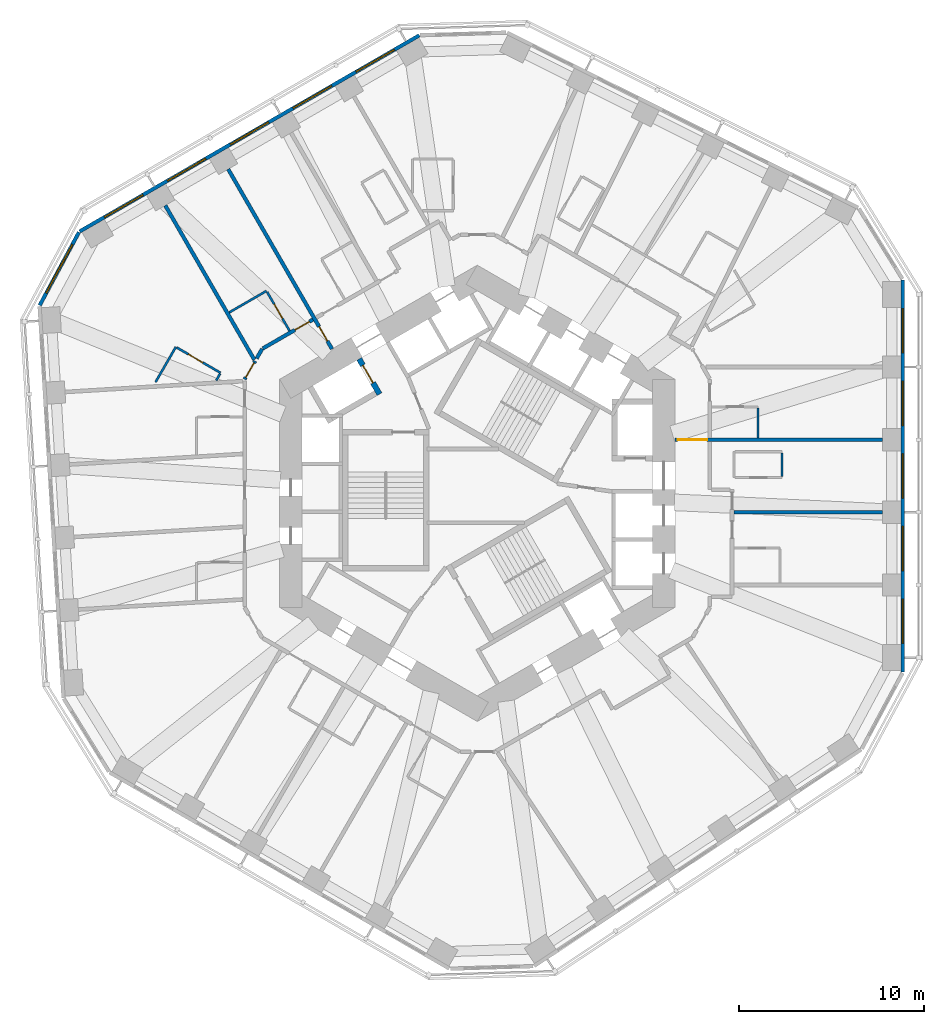
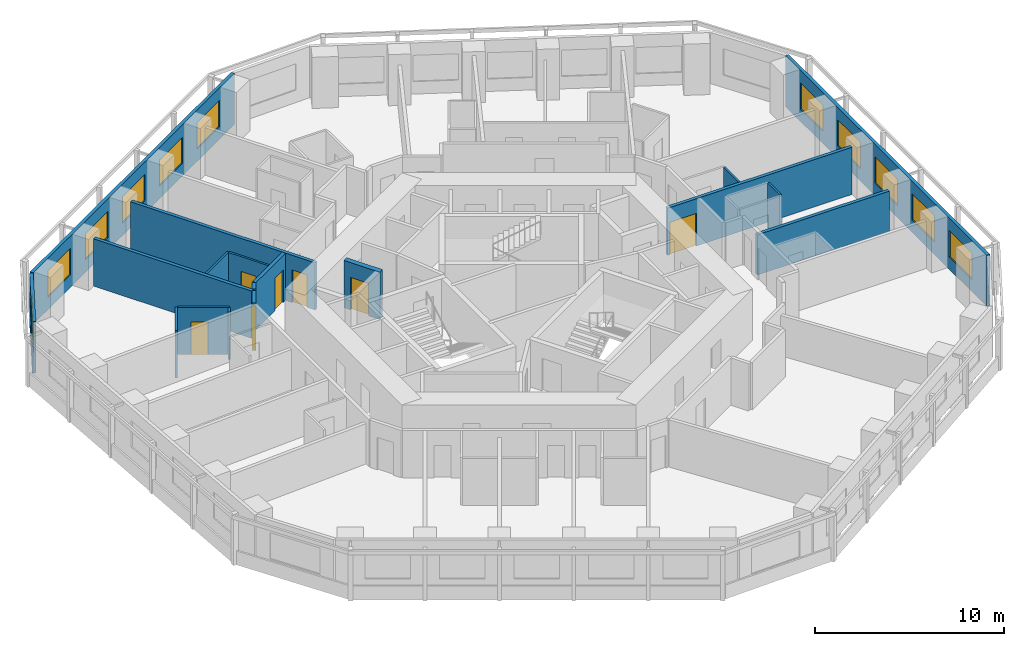
# One storey, part 7 of 12: 18 walls, 11 windows, 7 doors, 18 openings.
"""IFC4 building model written with IfcOpenShell, lengths in metres."""

import ifcopenshell
import ifcopenshell.guid

model = None  # the IFC model being written
_history = None  # IfcOwnerHistory: only IFC2X3 demands one
_inside = {}  # id of a spatial element -> (the spatial element, [elements in it])
_under = {}  # id of a project, library or spatial element -> (it, [spatial elements below it])
_declared = {}  # id of a project -> (the project, [libraries it declares])
_typed = {}  # id of a type object -> (the type object, [elements of that type])
_made_of = {}  # id of a material, layer set ... -> (it, [elements and type objects made of it])


def new_model(schema):
    """Start an empty IFC model of exactly this schema.

    Asked for "IFC4X3", IfcOpenShell would pick the latest addendum, in which some entities
    have other attributes; the version numbers below select the first issue.
    IFC2X3 requires an IfcOwnerHistory on every rooted entity: one is made here for all.
    """
    global model, _history
    if schema == "IFC4X3":
        model = ifcopenshell.file(schema_version=(4, 3, 0, 0))
    else:
        model = ifcopenshell.file(schema=schema)
    _inside.clear()
    _under.clear()
    _declared.clear()
    _typed.clear()
    _made_of.clear()
    _history = None
    if model.schema == "IFC2X3":
        org = make("IfcOrganization", Name="unknown")
        user = make(
            "IfcPersonAndOrganization",
            ThePerson=make("IfcPerson", FamilyName="unknown"),
            TheOrganization=org,
        )
        app = make(
            "IfcApplication",
            ApplicationDeveloper=org,
            Version="unknown",
            ApplicationFullName="unknown",
            ApplicationIdentifier="unknown",
        )
        _history = make(
            "IfcOwnerHistory",
            OwningUser=user,
            OwningApplication=app,
            ChangeAction="ADDED",
            CreationDate=0,
        )
    return model


def make(cls, **values):
    """One entity of the class cls with the attributes given. An attribute that is None is left unset."""
    return model.create_entity(
        cls, **{name: value for name, value in values.items() if value is not None}
    )


def rooted(cls, **values):
    """An entity with a GlobalId (a new one), such as an element, a storey or a relation."""
    return make(cls, GlobalId=ifcopenshell.guid.new(), OwnerHistory=_history, **values)


def si_unit(unit_type, name, prefix=None):
    """IfcSIUnit, for example si_unit("LENGTHUNIT", "METRE", prefix="MILLI")."""
    return make("IfcSIUnit", UnitType=unit_type, Prefix=prefix, Name=name)


def assignment(units):
    """IfcUnitAssignment: the units of a project."""
    return None if units is None else make("IfcUnitAssignment", Units=units)


def point(xyz):
    """IfcCartesianPoint."""
    return None if xyz is None else make("IfcCartesianPoint", Coordinates=xyz)


def direction(xyz):
    """IfcDirection."""
    return None if xyz is None else make("IfcDirection", DirectionRatios=xyz)


def frame(location, z_axis=None, x_axis=None):
    """IfcAxis2Placement3D, a coordinate frame: its origin and axes. An axis left out is left unset."""
    return make(
        "IfcAxis2Placement3D",
        Location=point(location),
        Axis=direction(z_axis),
        RefDirection=direction(x_axis),
    )


def frame_2d(location, x_axis=None):
    """IfcAxis2Placement2D, a coordinate frame in the plane: its origin and x axis."""
    return make(
        "IfcAxis2Placement2D", Location=point(location), RefDirection=direction(x_axis)
    )


def origin():
    """The frame at (0, 0, 0) with its axes left unset."""
    return frame((0.0, 0.0, 0.0))


def place(relative_to, where):
    """IfcLocalPlacement: puts the frame where relative to a parent placement (None: the world)."""
    return make(
        "IfcLocalPlacement", PlacementRelTo=relative_to, RelativePlacement=where
    )


def context(
    kind, dimensions, precision=None, world=None, true_north=None, identifier=None
):
    """IfcGeometricRepresentationContext, for example the 3D "Model" context."""
    return make(
        "IfcGeometricRepresentationContext",
        ContextIdentifier=identifier,
        ContextType=kind,
        CoordinateSpaceDimension=dimensions,
        Precision=precision,
        WorldCoordinateSystem=world,
        TrueNorth=true_north,
    )


def subcontext(parent, identifier, kind, view, scale=None):
    """IfcGeometricRepresentationSubContext, for example "Body" below "Model"."""
    return make(
        "IfcGeometricRepresentationSubContext",
        ContextIdentifier=identifier,
        ContextType=kind,
        ParentContext=parent,
        TargetScale=scale,
        TargetView=view,
    )


def project(units=None, contexts=None):
    """IfcProject with its units and contexts."""
    return rooted(
        "IfcProject",
        Name="project",
        RepresentationContexts=contexts,
        UnitsInContext=assignment(units),
    )


def spatial(cls, under=None, at=None, **own):
    """A site, building, storey or space (cls), placed at a placement, below another one or the project."""
    s = rooted(cls, ObjectPlacement=at, **own)
    if under is not None:
        _under.setdefault(under.id(), (under, []))[1].append(s)
    return s


def profile(cls, at=None, kind="AREA", **sizes):
    """A parametric profile (cls). Its sizes go by their IFC names, for example OverallWidth=200.0."""
    return make(cls, ProfileType=kind, Position=at, **sizes)


def rectangle(**sizes):
    """IfcRectangleProfileDef."""
    return profile("IfcRectangleProfileDef", **sizes)


def extrude(swept, where, along, depth):
    """IfcExtrudedAreaSolid: the profile swept, set in the frame where, extruded along a direction by depth."""
    return make(
        "IfcExtrudedAreaSolid",
        SweptArea=swept,
        Position=where,
        ExtrudedDirection=direction(along),
        Depth=depth,
    )


def shape(context_of_items, identifier, shape_type, items):
    """IfcShapeRepresentation: the items that make up one representation, for example the "Body"."""
    return make(
        "IfcShapeRepresentation",
        ContextOfItems=context_of_items,
        RepresentationIdentifier=identifier,
        RepresentationType=shape_type,
        Items=items,
    )


def material(Name=None, Category=None):
    """IfcMaterial."""
    return make("IfcMaterial", Name=Name, Category=Category)


def layer(
    of_material, thickness, ventilated=None, Name=None, Category=None, Priority=None
):
    """IfcMaterialLayer: one layer of a wall or slab, of a material (None: an air gap)."""
    return make(
        "IfcMaterialLayer",
        Material=of_material,
        LayerThickness=thickness,
        IsVentilated=ventilated,
        Name=Name,
        Category=Category,
        Priority=Priority,
    )


def layer_set(layers, Name=None):
    """IfcMaterialLayerSet."""
    return make("IfcMaterialLayerSet", MaterialLayers=layers, LayerSetName=Name)


def made_of(thing, what):
    """Note that an element or type object is made of a material, layer set ...; save() writes the relation."""
    if what is not None:
        _made_of.setdefault(what.id(), (what, []))[1].append(thing)
    return thing


def type_object(cls, material=None, **own):
    """A type object (cls), such as IfcWallType, which elements share."""
    return made_of(rooted(cls, **own), material)


def element(
    cls,
    number,
    at=None,
    inside=None,
    cuts=None,
    type_object=None,
    material=None,
    context=None,
    identifier="Body",
    shape_type=None,
    held_by="IfcProductDefinitionShape",
    body=None,
    shapes=None,
    **own,
):
    """One element of the class cls, such as IfcWall. Its Tag is "e" and its number.

    at: its placement. inside: the storey or other place that contains it. cuts: it is an
    opening in that element (IfcRelVoidsElement). A single representation is given by context,
    identifier, shape_type and body (its items); several are given by shapes. held_by: the class
    of the entity that holds the representations. save() writes the other relations.
    """
    e = rooted(cls, Tag="e%d" % number, ObjectPlacement=at, **own)
    if body is not None:
        shapes = [shape(context, identifier, shape_type, body)]
    if shapes is not None:
        e.Representation = make(held_by, Representations=shapes)
    if inside is not None:
        _inside.setdefault(inside.id(), (inside, []))[1].append(e)
    if cuts is not None:
        rooted(
            "IfcRelVoidsElement", RelatingBuildingElement=cuts, RelatedOpeningElement=e
        )
    if type_object is not None:
        _typed.setdefault(type_object.id(), (type_object, []))[1].append(e)
    return made_of(e, material)


def fill(opening, filler):
    """IfcRelFillsElement: the door or window that sits in an opening."""
    return rooted(
        "IfcRelFillsElement",
        RelatingOpeningElement=opening,
        RelatedBuildingElement=filler,
    )


def aggregate(whole, parts):
    """IfcRelAggregates: a whole, such as a stair, and the parts it consists of."""
    return rooted("IfcRelAggregates", RelatingObject=whole, RelatedObjects=parts)


def save(model, path):
    """Write the relations noted so far, then the file.

    IfcRelAggregates (storeys below a building ...), IfcRelContainedInSpatialStructure (elements
    in a storey), IfcRelDefinesByType, IfcRelAssociatesMaterial and IfcRelDeclares: one each for
    every whole, place, type object, material and project.
    """
    for whole, parts in _under.values():
        aggregate(whole, parts)
    for where, things in _inside.values():
        rooted(
            "IfcRelContainedInSpatialStructure",
            RelatedElements=things,
            RelatingStructure=where,
        )
    for kind, things in _typed.values():
        rooted("IfcRelDefinesByType", RelatedObjects=things, RelatingType=kind)
    for what, things in _made_of.values():
        rooted("IfcRelAssociatesMaterial", RelatedObjects=things, RelatingMaterial=what)
    for by, libraries in _declared.values():
        rooted("IfcRelDeclares", RelatingContext=by, RelatedDefinitions=libraries)
    model.write(path)


model = new_model("IFC4")

# Units and contexts
model_context = context("Model", 3, precision=1e-05, world=origin(), true_north=direction((0.0, 1.0)))
body_context = subcontext(model_context, "Body", "Model", "MODEL_VIEW")
ifc_project = project(units=[si_unit("LENGTHUNIT", "METRE"), si_unit("AREAUNIT", "SQUARE_METRE"), si_unit("VOLUMEUNIT", "CUBIC_METRE"), si_unit("PLANEANGLEUNIT", "RADIAN"), si_unit("MASSUNIT", "GRAM", prefix="KILO")], contexts=[model_context])

# Site, building, storey
site_placement = place(None, origin())
site = spatial("IfcSite", under=ifc_project, at=site_placement, CompositionType="ELEMENT")
building_placement = place(site_placement, origin())
building = spatial("IfcBuilding", under=site, at=building_placement, Name="Vanh Sen Convention Tower", CompositionType="ELEMENT")
storey_placement = place(building_placement, frame((0.0, 0.0, 86.89990234375)))
storey = spatial("IfcBuildingStorey", under=building, at=storey_placement, Name="L19", CompositionType="ELEMENT", Elevation=86.89990234375)

# Wall
ifc_material_1 = material(Name="Moisture-resistant gypsum board on steel studs", Category="steel")
ifc_layer_1 = layer(ifc_material_1, 0.1201171875)
ifc_layer_set_1 = layer_set([ifc_layer_1], Name="Moisture-resistant gypsum board on steel studs")
wall_type_1 = type_object("IfcWallType", Name="Bathroom partition 120", PredefinedType="PARTITIONING", material=ifc_layer_set_1)
wall_1_placement = place(storey_placement, frame((-17.42578125, 6.019287109375, 0.0), z_axis=(0.0, 0.0, 1.0), x_axis=(0.50002983664, 0.866008176907, 0.0)))
element("IfcWall", 1, at=wall_1_placement, inside=storey, type_object=wall_type_1, Name="Bathroom partition 120", PredefinedType="PARTITIONING", context=body_context, shape_type="SweptSolid", body=[
    extrude(rectangle(XDim=2.199951171875, YDim=0.1201171875, at=frame_2d((1.10009765625, 0.0))), origin(), (0.0, 0.0, 1.0), 3.050048828125),
])

# Wall, opening, door
wall_2_placement = place(storey_placement, frame((-16.273681640625, 7.89453125, 0.0), z_axis=(0.0, 0.0, 1.0), x_axis=(0.865997131366, -0.500048966069, 0.0)))
wall_2 = element("IfcWall", 2, at=wall_2_placement, inside=storey, type_object=wall_type_1, Name="Bathroom partition 120", PredefinedType="PARTITIONING", context=body_context, shape_type="SweptSolid", body=[
    extrude(rectangle(XDim=2.739990234375, YDim=0.1201171875, at=frame_2d((1.3701171875, 0.0))), origin(), (0.0, 0.0, 1.0), 3.050048828125),
])
opening_1_placement = place(wall_2_placement, frame((0.719970703125, 0.0, 0.0)))
opening_1 = element("IfcOpeningElement", 3, at=opening_1_placement, cuts=wall_2, Name="Opening D19124", PredefinedType="OPENING", context=body_context, shape_type="SweptSolid", body=[
    extrude(rectangle(XDim=0.89990234375, YDim=2.10009765625, at=frame_2d((0.449951171875, 1.050048828125))), frame((0.0, 0.070068359375, 0.0), z_axis=(0.0, -1.0, 0.0), x_axis=(1.0, 0.0, 0.0)), (0.0, 0.0, 1.0), 0.14013671875),
])
ifc_material_2 = material(Name="Laminate door in steel frame", Category="steel")
door_type_1 = type_object("IfcDoorType", Name="En-suite door 900", OperationType="SINGLE_SWING_LEFT", PredefinedType="DOOR", material=ifc_material_2)
door_1_placement = place(opening_1_placement, origin())
door_1 = element("IfcDoor", 4, at=door_1_placement, inside=storey, type_object=door_type_1, Name="En-suite door D19124", OperationType="SINGLE_SWING_LEFT", OverallHeight=2.10009765625, OverallWidth=0.89990234375, PredefinedType="DOOR", context=body_context, shape_type="SweptSolid", body=[
    extrude(rectangle(XDim=0.89990234375, YDim=2.10009765625, at=frame_2d((0.449951171875, 1.050048828125))), frame((0.0, 0.02490234375, 0.0), z_axis=(0.0, -1.0, 0.0), x_axis=(1.0, 0.0, 0.0)), (0.0, 0.0, 1.0), 0.050048828125),
])
fill(opening_1, door_1)

# Walls
wall_3_placement = place(storey_placement, frame((-13.930908203125, 6.472412109375, 0.0), z_axis=(0.0, 0.0, 1.0), x_axis=(-0.499739399214, -0.866175809448, 0.0)))
element("IfcWall", 5, at=wall_3_placement, inside=storey, type_object=wall_type_1, Name="Bathroom partition 120", PredefinedType="PARTITIONING", context=body_context, shape_type="SweptSolid", body=[
    extrude(rectangle(XDim=0.415771484375, YDim=0.1201171875, at=frame_2d((0.2080078125, 0.0))), origin(), (0.0, 0.0, 1.0), 3.050048828125),
])
wall_4_placement = place(storey_placement, frame((-13.436279296875, 9.7939453125, 0.0), z_axis=(0.0, 0.0, 1.0), x_axis=(0.866053246676, 0.499951771596, 0.0)))
element("IfcWall", 6, at=wall_4_placement, inside=storey, type_object=wall_type_1, Name="Bathroom partition 120", PredefinedType="PARTITIONING", context=body_context, shape_type="SweptSolid", body=[
    extrude(rectangle(XDim=2.334716796875, YDim=0.1201171875, at=frame_2d((1.16748046875, 0.0))), origin(), (0.0, 0.0, 1.0), 3.050048828125),
])

# Wall, opening, door
wall_5_placement = place(storey_placement, frame((-11.384521484375, 10.9091796875, 0.0), z_axis=(0.0, 0.0, 1.0), x_axis=(0.500077547548, -0.865980627057, 0.0)))
wall_5 = element("IfcWall", 7, at=wall_5_placement, inside=storey, type_object=wall_type_1, Name="Bathroom partition 120", PredefinedType="PARTITIONING", context=body_context, shape_type="SweptSolid", body=[
    extrude(rectangle(XDim=2.43994140625, YDim=0.1201171875, at=frame_2d((1.219970703125, 0.0))), origin(), (0.0, 0.0, 1.0), 3.050048828125),
])
opening_2_placement = place(wall_5_placement, frame((0.77001953125, 0.0, 0.0)))
opening_2 = element("IfcOpeningElement", 8, at=opening_2_placement, cuts=wall_5, Name="Opening D19122", PredefinedType="OPENING", context=body_context, shape_type="SweptSolid", body=[
    extrude(rectangle(XDim=0.89990234375, YDim=2.10009765625, at=frame_2d((0.449951171875, 1.050048828125))), frame((0.0, 0.070068359375, 0.0), z_axis=(0.0, -1.0, 0.0), x_axis=(1.0, 0.0, 0.0)), (0.0, 0.0, 1.0), 0.14013671875),
])
door_2_placement = place(opening_2_placement, origin())
door_2 = element("IfcDoor", 9, at=door_2_placement, inside=storey, type_object=door_type_1, Name="En-suite door D19122", OperationType="SINGLE_SWING_LEFT", OverallHeight=2.10009765625, OverallWidth=0.89990234375, PredefinedType="DOOR", context=body_context, shape_type="SweptSolid", body=[
    extrude(rectangle(XDim=0.89990234375, YDim=2.10009765625, at=frame_2d((0.449951171875, 1.050048828125))), frame((0.0, 0.02490234375, 0.0), z_axis=(0.0, -1.0, 0.0), x_axis=(1.0, 0.0, 0.0)), (0.0, 0.0, 1.0), 0.050048828125),
])
fill(opening_2, door_2)

# Walls
wall_6_placement = place(storey_placement, frame((15.199951171875, 4.61767578125, 0.0), z_axis=(0.0, 0.0, 1.0), x_axis=(0.0, -1.0, 0.0)))
element("IfcWall", 10, at=wall_6_placement, inside=storey, type_object=wall_type_1, Name="Bathroom partition 120", PredefinedType="PARTITIONING", context=body_context, shape_type="SweptSolid", body=[
    extrude(rectangle(XDim=1.61328125, YDim=0.1201171875, at=frame_2d((0.806640625, 0.0))), origin(), (0.0, 0.0, 1.0), 3.050048828125),
])
wall_7_placement = place(storey_placement, frame((16.5, 2.19287109375, 0.0), z_axis=(0.0, 0.0, 1.0), x_axis=(0.0, -1.0, 0.0)))
element("IfcWall", 11, at=wall_7_placement, inside=storey, type_object=wall_type_1, Name="Bathroom partition 120", PredefinedType="PARTITIONING", context=body_context, shape_type="SweptSolid", body=[
    extrude(rectangle(XDim=1.280029296875, YDim=0.1201171875, at=frame_2d((0.64013671875, 0.0))), origin(), (0.0, 0.0, 1.0), 3.050048828125),
])

# Wall, opening, door
ifc_material_3 = material(Name="Gypsum board on steel studs with mineral wool", Category="steel")
ifc_layer_2 = layer(ifc_material_3, 0.199951171875)
ifc_layer_set_2 = layer_set([ifc_layer_2], Name="Gypsum board on steel studs with mineral wool")
wall_type_2 = type_object("IfcWallType", Name="Corridor partition wall 200", PredefinedType="PARTITIONING", material=ifc_layer_set_2)
wall_8_placement = place(storey_placement, frame((-12.031982421875, 7.16162109375, 0.0), z_axis=(0.0, 0.0, 1.0), x_axis=(-0.499951829968, -0.866053212979, 0.0)))
wall_8 = element("IfcWall", 12, at=wall_8_placement, inside=storey, type_object=wall_type_2, Name="Corridor partition wall 200", PredefinedType="PARTITIONING", context=body_context, shape_type="SweptSolid", body=[
    extrude(rectangle(XDim=1.13623046875, YDim=0.199951171875, at=frame_2d((0.568115234375, 0.0))), origin(), (0.0, 0.0, 1.0), 3.050048828125),
])
opening_3_placement = place(wall_8_placement, frame((0.1181640625, 0.0, 0.0)))
opening_3 = element("IfcOpeningElement", 13, at=opening_3_placement, cuts=wall_8, Name="Opening D19123", PredefinedType="OPENING", context=body_context, shape_type="SweptSolid", body=[
    extrude(rectangle(XDim=0.89990234375, YDim=2.10009765625, at=frame_2d((0.449951171875, 1.050048828125))), frame((0.0, 0.10986328125, 0.0), z_axis=(0.0, -1.0, 0.0), x_axis=(1.0, 0.0, 0.0)), (0.0, 0.0, 1.0), 0.219970703125),
])
ifc_material_4 = material(Name="Timber fire door in steel frame", Category="steel")
door_type_2 = type_object("IfcDoorType", Name="Guest room door 900", OperationType="SINGLE_SWING_LEFT", PredefinedType="DOOR", material=ifc_material_4)
door_3_placement = place(opening_3_placement, origin())
door_3 = element("IfcDoor", 14, at=door_3_placement, inside=storey, type_object=door_type_2, Name="Hotel guest room door D19123", OperationType="SINGLE_SWING_LEFT", OverallHeight=2.10009765625, OverallWidth=0.89990234375, PredefinedType="DOOR", context=body_context, shape_type="SweptSolid", body=[
    extrude(rectangle(XDim=0.89990234375, YDim=2.10009765625, at=frame_2d((0.449951171875, 1.050048828125))), frame((0.0, 0.02490234375, 0.0), z_axis=(0.0, -1.0, 0.0), x_axis=(1.0, 0.0, 0.0)), (0.0, 0.0, 1.0), 0.050048828125),
])
fill(opening_3, door_3)

# Wall
wall_9_placement = place(storey_placement, frame((-11.64990234375, 7.822998046875, 0.0), z_axis=(0.0, 0.0, 1.0), x_axis=(-0.50012165622, -0.865955154139, 0.0)))
element("IfcWall", 15, at=wall_9_placement, inside=storey, type_object=wall_type_2, Name="Corridor partition wall 200", PredefinedType="PARTITIONING", context=body_context, shape_type="SweptSolid", body=[
    extrude(rectangle(XDim=0.599853515625, YDim=0.199951171875, at=frame_2d((0.2998046875, 0.0))), origin(), (0.0, 0.0, 1.0), 3.050048828125),
])

# Wall, opening, door
wall_10_placement = place(storey_placement, frame((-8.902099609375, 9.40966796875, 0.0), z_axis=(0.0, 0.0, 1.0), x_axis=(-0.866014299198, -0.500019233215, 0.0)))
wall_10 = element("IfcWall", 16, at=wall_10_placement, inside=storey, type_object=wall_type_2, Name="Corridor partition wall 200", PredefinedType="PARTITIONING", context=body_context, shape_type="SweptSolid", body=[
    extrude(rectangle(XDim=3.13330078125, YDim=0.199951171875, at=frame_2d((1.566650390625, 0.0))), origin(), (0.0, 0.0, 1.0), 3.050048828125),
])
opening_4_placement = place(wall_10_placement, frame((0.22509765625, 0.0, 0.0)))
opening_4 = element("IfcOpeningElement", 17, at=opening_4_placement, cuts=wall_10, Name="Opening D19121", PredefinedType="OPENING", context=body_context, shape_type="SweptSolid", body=[
    extrude(rectangle(XDim=0.89990234375, YDim=2.10009765625, at=frame_2d((0.449951171875, 1.050048828125))), frame((0.0, 0.10986328125, 0.0), z_axis=(0.0, -1.0, 0.0), x_axis=(1.0, 0.0, 0.0)), (0.0, 0.0, 1.0), 0.219970703125),
])
door_4_placement = place(opening_4_placement, origin())
door_4 = element("IfcDoor", 18, at=door_4_placement, inside=storey, type_object=door_type_2, Name="Hotel guest room door D19121", OperationType="SINGLE_SWING_LEFT", OverallHeight=2.10009765625, OverallWidth=0.89990234375, PredefinedType="DOOR", context=body_context, shape_type="SweptSolid", body=[
    extrude(rectangle(XDim=0.89990234375, YDim=2.10009765625, at=frame_2d((0.449951171875, 1.050048828125))), frame((0.0, 0.02490234375, 0.0), z_axis=(0.0, -1.0, 0.0), x_axis=(1.0, 0.0, 0.0)), (0.0, 0.0, 1.0), 0.050048828125),
])
fill(opening_4, door_4)

# Wall, openings, windows
ifc_material_5 = material(Name="Insulated lightweight infill wall")
ifc_layer_3 = layer(ifc_material_5, 0.199951171875)
ifc_layer_set_3 = layer_set([ifc_layer_3], Name="Insulated lightweight infill wall")
wall_type_3 = type_object("IfcWallType", Name="External wall 200", PredefinedType="STANDARD", material=ifc_layer_set_3)
wall_11_placement = place(storey_placement, frame((23.050048828125, -9.6865234375, 0.0), z_axis=(0.0, 0.0, 1.0), x_axis=(0.0, 1.0, 0.0)))
wall_11 = element("IfcWall", 19, at=wall_11_placement, inside=storey, type_object=wall_type_3, Name="External wall E L19", PredefinedType="STANDARD", context=body_context, shape_type="SweptSolid", body=[
    extrude(rectangle(XDim=21.24609375, YDim=0.199951171875, at=frame_2d((10.623046875, 0.0))), origin(), (0.0, 0.0, 1.0), 3.300048828125),
])
opening_5_placement = place(wall_11_placement, frame((1.5546875, 0.0, 0.800048828125)))
opening_5 = element("IfcOpeningElement", 20, at=opening_5_placement, cuts=wall_11, Name="Opening WH1-E1", PredefinedType="OPENING", context=body_context, shape_type="SweptSolid", body=[
    extrude(rectangle(XDim=2.39990234375, YDim=1.699951171875, at=frame_2d((1.199951171875, 0.85009765625))), frame((0.0, 0.10986328125, 0.0), z_axis=(0.0, -1.0, 0.0), x_axis=(1.0, 0.0, 0.0)), (0.0, 0.0, 1.0), 0.219970703125),
])
opening_6_placement = place(wall_11_placement, frame((5.4892578125, 0.0, 0.800048828125)))
opening_6 = element("IfcOpeningElement", 21, at=opening_6_placement, cuts=wall_11, Name="Opening WH1-E2", PredefinedType="OPENING", context=body_context, shape_type="SweptSolid", body=[
    extrude(rectangle(XDim=2.39990234375, YDim=1.699951171875, at=frame_2d((1.199951171875, 0.85009765625))), frame((0.0, 0.10986328125, 0.0), z_axis=(0.0, -1.0, 0.0), x_axis=(1.0, 0.0, 0.0)), (0.0, 0.0, 1.0), 0.219970703125),
])
opening_7_placement = place(wall_11_placement, frame((9.423828125, 0.0, 0.800048828125)))
opening_7 = element("IfcOpeningElement", 22, at=opening_7_placement, cuts=wall_11, Name="Opening WH1-E3", PredefinedType="OPENING", context=body_context, shape_type="SweptSolid", body=[
    extrude(rectangle(XDim=2.39990234375, YDim=1.699951171875, at=frame_2d((1.199951171875, 0.85009765625))), frame((0.0, 0.10986328125, 0.0), z_axis=(0.0, -1.0, 0.0), x_axis=(1.0, 0.0, 0.0)), (0.0, 0.0, 1.0), 0.219970703125),
])
opening_8_placement = place(wall_11_placement, frame((13.3583984375, 0.0, 0.800048828125)))
opening_8 = element("IfcOpeningElement", 23, at=opening_8_placement, cuts=wall_11, Name="Opening WH1-E4", PredefinedType="OPENING", context=body_context, shape_type="SweptSolid", body=[
    extrude(rectangle(XDim=2.39990234375, YDim=1.699951171875, at=frame_2d((1.199951171875, 0.85009765625))), frame((0.0, 0.10986328125, 0.0), z_axis=(0.0, -1.0, 0.0), x_axis=(1.0, 0.0, 0.0)), (0.0, 0.0, 1.0), 0.219970703125),
])
opening_9_placement = place(wall_11_placement, frame((17.29296875, 0.0, 0.800048828125)))
opening_9 = element("IfcOpeningElement", 24, at=opening_9_placement, cuts=wall_11, Name="Opening WH1-E5", PredefinedType="OPENING", context=body_context, shape_type="SweptSolid", body=[
    extrude(rectangle(XDim=2.39990234375, YDim=1.699951171875, at=frame_2d((1.199951171875, 0.85009765625))), frame((0.0, 0.10986328125, 0.0), z_axis=(0.0, -1.0, 0.0), x_axis=(1.0, 0.0, 0.0)), (0.0, 0.0, 1.0), 0.219970703125),
])
ifc_material_6 = material(Name="Aluminium frame with clear low-emissivity glass", Category="aluminium")
window_type_1 = type_object("IfcWindowType", Name="Hotel window 2400 x 1700", PartitioningType="SINGLE_PANEL", PredefinedType="WINDOW", material=ifc_material_6)
window_1_placement = place(opening_5_placement, origin())
window_1 = element("IfcWindow", 25, at=window_1_placement, inside=storey, type_object=window_type_1, Name="Window WH1-E1", OverallHeight=1.699951171875, OverallWidth=2.39990234375, PartitioningType="SINGLE_PANEL", PredefinedType="WINDOW", context=body_context, shape_type="SweptSolid", body=[
    extrude(rectangle(XDim=2.39990234375, YDim=1.699951171875, at=frame_2d((1.199951171875, 0.85009765625))), frame((0.0, 0.030029296875, 0.0), z_axis=(0.0, -1.0, 0.0), x_axis=(1.0, 0.0, 0.0)), (0.0, 0.0, 1.0), 0.06005859375),
])
fill(opening_5, window_1)
window_2_placement = place(opening_6_placement, origin())
window_2 = element("IfcWindow", 26, at=window_2_placement, inside=storey, type_object=window_type_1, Name="Window WH1-E2", OverallHeight=1.699951171875, OverallWidth=2.39990234375, PartitioningType="SINGLE_PANEL", PredefinedType="WINDOW", context=body_context, shape_type="SweptSolid", body=[
    extrude(rectangle(XDim=2.39990234375, YDim=1.699951171875, at=frame_2d((1.199951171875, 0.85009765625))), frame((0.0, 0.030029296875, 0.0), z_axis=(0.0, -1.0, 0.0), x_axis=(1.0, 0.0, 0.0)), (0.0, 0.0, 1.0), 0.06005859375),
])
fill(opening_6, window_2)
window_3_placement = place(opening_7_placement, origin())
window_3 = element("IfcWindow", 27, at=window_3_placement, inside=storey, type_object=window_type_1, Name="Window WH1-E3", OverallHeight=1.699951171875, OverallWidth=2.39990234375, PartitioningType="SINGLE_PANEL", PredefinedType="WINDOW", context=body_context, shape_type="SweptSolid", body=[
    extrude(rectangle(XDim=2.39990234375, YDim=1.699951171875, at=frame_2d((1.199951171875, 0.85009765625))), frame((0.0, 0.030029296875, 0.0), z_axis=(0.0, -1.0, 0.0), x_axis=(1.0, 0.0, 0.0)), (0.0, 0.0, 1.0), 0.06005859375),
])
fill(opening_7, window_3)
window_4_placement = place(opening_8_placement, origin())
window_4 = element("IfcWindow", 28, at=window_4_placement, inside=storey, type_object=window_type_1, Name="Window WH1-E4", OverallHeight=1.699951171875, OverallWidth=2.39990234375, PartitioningType="SINGLE_PANEL", PredefinedType="WINDOW", context=body_context, shape_type="SweptSolid", body=[
    extrude(rectangle(XDim=2.39990234375, YDim=1.699951171875, at=frame_2d((1.199951171875, 0.85009765625))), frame((0.0, 0.030029296875, 0.0), z_axis=(0.0, -1.0, 0.0), x_axis=(1.0, 0.0, 0.0)), (0.0, 0.0, 1.0), 0.06005859375),
])
fill(opening_8, window_4)
window_5_placement = place(opening_9_placement, origin())
window_5 = element("IfcWindow", 29, at=window_5_placement, inside=storey, type_object=window_type_1, Name="Window WH1-E5", OverallHeight=1.699951171875, OverallWidth=2.39990234375, PartitioningType="SINGLE_PANEL", PredefinedType="WINDOW", context=body_context, shape_type="SweptSolid", body=[
    extrude(rectangle(XDim=2.39990234375, YDim=1.699951171875, at=frame_2d((1.199951171875, 0.85009765625))), frame((0.0, 0.030029296875, 0.0), z_axis=(0.0, -1.0, 0.0), x_axis=(1.0, 0.0, 0.0)), (0.0, 0.0, 1.0), 0.06005859375),
])
fill(opening_9, window_5)

wall_12_placement = place(storey_placement, frame((-3.135986328125, 24.80517578125, 0.0), z_axis=(0.0, 0.0, 1.0), x_axis=(-0.866028291626, -0.499994998079, 0.0)))
wall_12 = element("IfcWall", 30, at=wall_12_placement, inside=storey, type_object=wall_type_3, Name="External wall NW L19", PredefinedType="STANDARD", context=body_context, shape_type="SweptSolid", body=[
    extrude(rectangle(XDim=21.246337890625, YDim=0.199951171875, at=frame_2d((10.623046875, 0.0))), origin(), (0.0, 0.0, 1.0), 3.300048828125),
])
opening_10_placement = place(wall_12_placement, frame((1.5546875, 0.0, 0.800048828125)))
opening_10 = element("IfcOpeningElement", 31, at=opening_10_placement, cuts=wall_12, Name="Opening WH1-NW1", PredefinedType="OPENING", context=body_context, shape_type="SweptSolid", body=[
    extrude(rectangle(XDim=2.39990234375, YDim=1.699951171875, at=frame_2d((1.199951171875, 0.85009765625))), frame((0.0, 0.10986328125, 0.0), z_axis=(0.0, -1.0, 0.0), x_axis=(1.0, 0.0, 0.0)), (0.0, 0.0, 1.0), 0.219970703125),
])
opening_11_placement = place(wall_12_placement, frame((5.4892578125, 0.0, 0.800048828125)))
opening_11 = element("IfcOpeningElement", 32, at=opening_11_placement, cuts=wall_12, Name="Opening WH1-NW2", PredefinedType="OPENING", context=body_context, shape_type="SweptSolid", body=[
    extrude(rectangle(XDim=2.39990234375, YDim=1.699951171875, at=frame_2d((1.199951171875, 0.85009765625))), frame((0.0, 0.10986328125, 0.0), z_axis=(0.0, -1.0, 0.0), x_axis=(1.0, 0.0, 0.0)), (0.0, 0.0, 1.0), 0.219970703125),
])
opening_12_placement = place(wall_12_placement, frame((9.423828125, 0.0, 0.800048828125)))
opening_12 = element("IfcOpeningElement", 33, at=opening_12_placement, cuts=wall_12, Name="Opening WH1-NW3", PredefinedType="OPENING", context=body_context, shape_type="SweptSolid", body=[
    extrude(rectangle(XDim=2.39990234375, YDim=1.699951171875, at=frame_2d((1.199951171875, 0.85009765625))), frame((0.0, 0.10986328125, 0.0), z_axis=(0.0, -1.0, 0.0), x_axis=(1.0, 0.0, 0.0)), (0.0, 0.0, 1.0), 0.219970703125),
])
opening_13_placement = place(wall_12_placement, frame((13.3583984375, 0.0, 0.800048828125)))
opening_13 = element("IfcOpeningElement", 34, at=opening_13_placement, cuts=wall_12, Name="Opening WH1-NW4", PredefinedType="OPENING", context=body_context, shape_type="SweptSolid", body=[
    extrude(rectangle(XDim=2.39990234375, YDim=1.699951171875, at=frame_2d((1.199951171875, 0.85009765625))), frame((0.0, 0.10986328125, 0.0), z_axis=(0.0, -1.0, 0.0), x_axis=(1.0, 0.0, 0.0)), (0.0, 0.0, 1.0), 0.219970703125),
])
opening_14_placement = place(wall_12_placement, frame((17.293212890625, 0.0, 0.800048828125)))
opening_14 = element("IfcOpeningElement", 35, at=opening_14_placement, cuts=wall_12, Name="Opening WH1-NW5", PredefinedType="OPENING", context=body_context, shape_type="SweptSolid", body=[
    extrude(rectangle(XDim=2.39990234375, YDim=1.699951171875, at=frame_2d((1.199951171875, 0.85009765625))), frame((0.0, 0.10986328125, 0.0), z_axis=(0.0, -1.0, 0.0), x_axis=(1.0, 0.0, 0.0)), (0.0, 0.0, 1.0), 0.219970703125),
])
window_6_placement = place(opening_10_placement, origin())
window_6 = element("IfcWindow", 36, at=window_6_placement, inside=storey, type_object=window_type_1, Name="Window WH1-NW1", OverallHeight=1.699951171875, OverallWidth=2.39990234375, PartitioningType="SINGLE_PANEL", PredefinedType="WINDOW", context=body_context, shape_type="SweptSolid", body=[
    extrude(rectangle(XDim=2.39990234375, YDim=1.699951171875, at=frame_2d((1.199951171875, 0.85009765625))), frame((0.0, 0.030029296875, 0.0), z_axis=(0.0, -1.0, 0.0), x_axis=(1.0, 0.0, 0.0)), (0.0, 0.0, 1.0), 0.06005859375),
])
fill(opening_10, window_6)
window_7_placement = place(opening_11_placement, origin())
window_7 = element("IfcWindow", 37, at=window_7_placement, inside=storey, type_object=window_type_1, Name="Window WH1-NW2", OverallHeight=1.699951171875, OverallWidth=2.39990234375, PartitioningType="SINGLE_PANEL", PredefinedType="WINDOW", context=body_context, shape_type="SweptSolid", body=[
    extrude(rectangle(XDim=2.39990234375, YDim=1.699951171875, at=frame_2d((1.199951171875, 0.85009765625))), frame((0.0, 0.030029296875, 0.0), z_axis=(0.0, -1.0, 0.0), x_axis=(1.0, 0.0, 0.0)), (0.0, 0.0, 1.0), 0.06005859375),
])
fill(opening_11, window_7)
window_8_placement = place(opening_12_placement, origin())
window_8 = element("IfcWindow", 38, at=window_8_placement, inside=storey, type_object=window_type_1, Name="Window WH1-NW3", OverallHeight=1.699951171875, OverallWidth=2.39990234375, PartitioningType="SINGLE_PANEL", PredefinedType="WINDOW", context=body_context, shape_type="SweptSolid", body=[
    extrude(rectangle(XDim=2.39990234375, YDim=1.699951171875, at=frame_2d((1.199951171875, 0.85009765625))), frame((0.0, 0.030029296875, 0.0), z_axis=(0.0, -1.0, 0.0), x_axis=(1.0, 0.0, 0.0)), (0.0, 0.0, 1.0), 0.06005859375),
])
fill(opening_12, window_8)
window_9_placement = place(opening_13_placement, origin())
window_9 = element("IfcWindow", 39, at=window_9_placement, inside=storey, type_object=window_type_1, Name="Window WH1-NW4", OverallHeight=1.699951171875, OverallWidth=2.39990234375, PartitioningType="SINGLE_PANEL", PredefinedType="WINDOW", context=body_context, shape_type="SweptSolid", body=[
    extrude(rectangle(XDim=2.39990234375, YDim=1.699951171875, at=frame_2d((1.199951171875, 0.85009765625))), frame((0.0, 0.030029296875, 0.0), z_axis=(0.0, -1.0, 0.0), x_axis=(1.0, 0.0, 0.0)), (0.0, 0.0, 1.0), 0.06005859375),
])
fill(opening_13, window_9)
window_10_placement = place(opening_14_placement, origin())
window_10 = element("IfcWindow", 40, at=window_10_placement, inside=storey, type_object=window_type_1, Name="Window WH1-NW5", OverallHeight=1.699951171875, OverallWidth=2.39990234375, PartitioningType="SINGLE_PANEL", PredefinedType="WINDOW", context=body_context, shape_type="SweptSolid", body=[
    extrude(rectangle(XDim=2.39990234375, YDim=1.699951171875, at=frame_2d((1.199951171875, 0.85009765625))), frame((0.0, 0.030029296875, 0.0), z_axis=(0.0, -1.0, 0.0), x_axis=(1.0, 0.0, 0.0)), (0.0, 0.0, 1.0), 0.06005859375),
])
fill(opening_14, window_10)

# Wall, opening, window
wall_13_placement = place(storey_placement, frame((-21.573974609375, 14.142822265625, 0.0), z_axis=(0.0, 0.0, 1.0), x_axis=(-0.473292949472, -0.880905093628, 0.0)))
wall_13 = element("IfcWall", 41, at=wall_13_placement, inside=storey, type_object=wall_type_3, Name="External wall CH3 L19", PredefinedType="STANDARD", context=body_context, shape_type="SweptSolid", body=[
    extrude(rectangle(XDim=4.493896484375, YDim=0.199951171875, at=frame_2d((2.2470703125, 0.0))), origin(), (0.0, 0.0, 1.0), 3.300048828125),
])
opening_15_placement = place(wall_13_placement, frame((0.746826171875, 0.0, 0.800048828125)))
opening_15 = element("IfcOpeningElement", 42, at=opening_15_placement, cuts=wall_13, Name="Opening WH2-CH31", PredefinedType="OPENING", context=body_context, shape_type="SweptSolid", body=[
    extrude(rectangle(XDim=3.0, YDim=1.699951171875, at=frame_2d((1.5, 0.85009765625))), frame((0.0, 0.10986328125, 0.0), z_axis=(0.0, -1.0, 0.0), x_axis=(1.0, 0.0, 0.0)), (0.0, 0.0, 1.0), 0.219970703125),
])
window_type_2 = type_object("IfcWindowType", Name="Hotel window 3000 x 1700", PartitioningType="SINGLE_PANEL", PredefinedType="WINDOW", material=ifc_material_6)
window_11_placement = place(opening_15_placement, origin())
window_11 = element("IfcWindow", 43, at=window_11_placement, inside=storey, type_object=window_type_2, Name="Window WH2-CH31", OverallHeight=1.699951171875, OverallWidth=3.0, PartitioningType="SINGLE_PANEL", PredefinedType="WINDOW", context=body_context, shape_type="SweptSolid", body=[
    extrude(rectangle(XDim=3.0, YDim=1.699951171875, at=frame_2d((1.5, 0.85009765625))), frame((0.0, 0.030029296875, 0.0), z_axis=(0.0, -1.0, 0.0), x_axis=(1.0, 0.0, 0.0)), (0.0, 0.0, 1.0), 0.06005859375),
])
fill(opening_15, window_11)

# Wall, opening, door
ifc_material_7 = material(Name="Concrete C60/75", Category="concrete")
ifc_layer_4 = layer(ifc_material_7, 0.300048828125)
ifc_layer_set_4 = layer_set([ifc_layer_4], Name="Concrete C60/75")
wall_type_4 = type_object("IfcWallType", Name="Fire-fighting lift shaft wall 300", PredefinedType="SHEAR", material=ifc_layer_set_4)
wall_14_placement = place(storey_placement, frame((-5.29541015625, 5.3720703125, 0.0), z_axis=(0.0, 0.0, 1.0), x_axis=(-0.500077893725, 0.86598042715, 0.0)))
wall_14 = element("IfcWall", 44, at=wall_14_placement, inside=storey, type_object=wall_type_4, Name="Fire-fighting lift shaft wall L19", PredefinedType="SHEAR", context=body_context, shape_type="SweptSolid", body=[
    extrude(rectangle(XDim=2.199951171875, YDim=0.300048828125, at=frame_2d((1.10009765625, 0.0))), origin(), (0.0, 0.0, 1.0), 3.050048828125),
])
opening_16_placement = place(wall_14_placement, frame((0.699951171875, 0.0, 0.0)))
opening_16 = element("IfcOpeningElement", 45, at=opening_16_placement, cuts=wall_14, Name="Opening LD-FF2", PredefinedType="OPENING", context=body_context, shape_type="SweptSolid", body=[
    extrude(rectangle(XDim=1.10009765625, YDim=2.10009765625, at=frame_2d((0.550048828125, 1.050048828125))), frame((0.0, 0.159912109375, 0.0), z_axis=(0.0, -1.0, 0.0), x_axis=(1.0, 0.0, 0.0)), (0.0, 0.0, 1.0), 0.320068359375),
])
ifc_material_8 = material(Name="Stainless steel", Category="steel")
door_type_3 = type_object("IfcDoorType", Name="Fire-fighting lift landing door 1100", OperationType="DOUBLE_DOOR_SLIDING", PredefinedType="DOOR", material=ifc_material_8)
door_5_placement = place(opening_16_placement, origin())
door_5 = element("IfcDoor", 46, at=door_5_placement, inside=storey, type_object=door_type_3, Name="Lift FF2 landing door LD-FF2", OperationType="DOUBLE_DOOR_SLIDING", OverallHeight=2.10009765625, OverallWidth=1.10009765625, PredefinedType="DOOR", context=body_context, shape_type="SweptSolid", body=[
    extrude(rectangle(XDim=1.10009765625, YDim=2.10009765625, at=frame_2d((0.550048828125, 1.050048828125))), frame((0.0, 0.02490234375, 0.0), z_axis=(0.0, -1.0, 0.0), x_axis=(1.0, 0.0, 0.0)), (0.0, 0.0, 1.0), 0.050048828125),
])
fill(opening_16, door_5)

# Walls
ifc_layer_5 = layer(ifc_material_3, 0.199951171875)
ifc_layer_set_5 = layer_set([ifc_layer_5], Name="Gypsum board on steel studs with mineral wool")
wall_type_5 = type_object("IfcWallType", Name="Hotel party wall 200", PredefinedType="PARTITIONING", material=ifc_layer_set_5)
wall_15_placement = place(storey_placement, frame((-16.89794921875, 15.589599609375, 0.0), z_axis=(0.0, 0.0, 1.0), x_axis=(0.499994742786, -0.866028439017, 0.0)))
element("IfcWall", 47, at=wall_15_placement, inside=storey, type_object=wall_type_5, Name="Hotel party wall 200", PredefinedType="PARTITIONING", context=body_context, shape_type="SweptSolid", body=[
    extrude(rectangle(XDim=9.64990234375, YDim=0.199951171875, at=frame_2d((4.824951171875, 0.0))), origin(), (0.0, 0.0, 1.0), 3.050048828125),
])
wall_16_placement = place(storey_placement, frame((21.949951171875, -1.030029296875, 0.0), z_axis=(0.0, 0.0, 1.0), x_axis=(-1.0, 0.0, 0.0)))
element("IfcWall", 48, at=wall_16_placement, inside=storey, type_object=wall_type_5, Name="Hotel party wall 200", PredefinedType="PARTITIONING", context=body_context, shape_type="SweptSolid", body=[
    extrude(rectangle(XDim=8.049072265625, YDim=0.199951171875, at=frame_2d((4.0244140625, 0.0))), origin(), (0.0, 0.0, 1.0), 2.60009765625),
])

# Wall, opening, door
ifc_material_9 = material(Name="Concrete C20/25", Category="concrete")
ifc_layer_6 = layer(ifc_material_9, 0.199951171875)
ifc_layer_set_6 = layer_set([ifc_layer_6], Name="Concrete C20/25")
wall_type_6 = type_object("IfcWallType", Name="Sub-compartment wall 200", PredefinedType="PARTITIONING", material=ifc_layer_set_6)
wall_17_placement = place(storey_placement, frame((-7.865478515625, 7.814208984375, 0.0), z_axis=(0.0, 0.0, 1.0), x_axis=(-0.500004234368, 0.866022959057, 0.0)))
wall_17 = element("IfcWall", 49, at=wall_17_placement, inside=storey, type_object=wall_type_6, Name="Sub-compartment wall 200", PredefinedType="PARTITIONING", context=body_context, shape_type="SweptSolid", body=[
    extrude(rectangle(XDim=11.25, YDim=0.199951171875, at=frame_2d((5.625, 0.0))), origin(), (0.0, 0.0, 1.0), 3.050048828125),
])
opening_17_placement = place(wall_17_placement, frame((0.5, 0.0, 0.0)))
opening_17 = element("IfcOpeningElement", 50, at=opening_17_placement, cuts=wall_17, Name="Opening D19140", PredefinedType="OPENING", context=body_context, shape_type="SweptSolid", body=[
    extrude(rectangle(XDim=0.89990234375, YDim=2.10009765625, at=frame_2d((0.449951171875, 1.050048828125))), frame((0.0, 0.10986328125, 0.0), z_axis=(0.0, -1.0, 0.0), x_axis=(1.0, 0.0, 0.0)), (0.0, 0.0, 1.0), 0.219970703125),
])
ifc_material_10 = material(Name="Steel S355", Category="steel")
door_type_4 = type_object("IfcDoorType", Name="Corridor fire door 900", OperationType="SINGLE_SWING_LEFT", PredefinedType="DOOR", material=ifc_material_10)
door_6_placement = place(opening_17_placement, origin())
door_6 = element("IfcDoor", 51, at=door_6_placement, inside=storey, type_object=door_type_4, Name="Sub-compartment door D19140", OperationType="SINGLE_SWING_LEFT", OverallHeight=2.10009765625, OverallWidth=0.89990234375, PredefinedType="DOOR", context=body_context, shape_type="SweptSolid", body=[
    extrude(rectangle(XDim=0.89990234375, YDim=2.10009765625, at=frame_2d((0.449951171875, 1.050048828125))), frame((0.0, 0.02490234375, 0.0), z_axis=(0.0, -1.0, 0.0), x_axis=(1.0, 0.0, 0.0)), (0.0, 0.0, 1.0), 0.050048828125),
])
fill(opening_17, door_6)

wall_18_placement = place(storey_placement, frame((21.949951171875, 2.904541015625, 0.0), z_axis=(0.0, 0.0, 1.0), x_axis=(-1.0, 0.0, 0.0)))
wall_18 = element("IfcWall", 52, at=wall_18_placement, inside=storey, type_object=wall_type_6, Name="Sub-compartment wall 200", PredefinedType="PARTITIONING", context=body_context, shape_type="SweptSolid", body=[
    extrude(rectangle(XDim=11.25, YDim=0.199951171875, at=frame_2d((5.625, 0.0))), origin(), (0.0, 0.0, 1.0), 3.050048828125),
])
opening_18_placement = place(wall_18_placement, frame((9.5, 0.0, 0.0)))
opening_18 = element("IfcOpeningElement", 53, at=opening_18_placement, cuts=wall_18, Name="Opening D19141", PredefinedType="OPENING", context=body_context, shape_type="SweptSolid", body=[
    extrude(rectangle(XDim=1.60009765625, YDim=2.10009765625, at=frame_2d((0.800048828125, 1.050048828125))), frame((0.0, 0.10986328125, 0.0), z_axis=(0.0, -1.0, 0.0), x_axis=(1.0, 0.0, 0.0)), (0.0, 0.0, 1.0), 0.219970703125),
])
door_type_5 = type_object("IfcDoorType", Name="Corridor fire door 1600", OperationType="DOUBLE_DOOR_SINGLE_SWING", PredefinedType="DOOR", material=ifc_material_10)
door_7_placement = place(opening_18_placement, origin())
door_7 = element("IfcDoor", 54, at=door_7_placement, inside=storey, type_object=door_type_5, Name="Sub-compartment door D19141", OperationType="DOUBLE_DOOR_SINGLE_SWING", OverallHeight=2.10009765625, OverallWidth=1.60009765625, PredefinedType="DOOR", context=body_context, shape_type="SweptSolid", body=[
    extrude(rectangle(XDim=1.60009765625, YDim=2.10009765625, at=frame_2d((0.800048828125, 1.050048828125))), frame((0.0, 0.02490234375, 0.0), z_axis=(0.0, -1.0, 0.0), x_axis=(1.0, 0.0, 0.0)), (0.0, 0.0, 1.0), 0.050048828125),
])
fill(opening_18, door_7)

save(model, "model.ifc")
